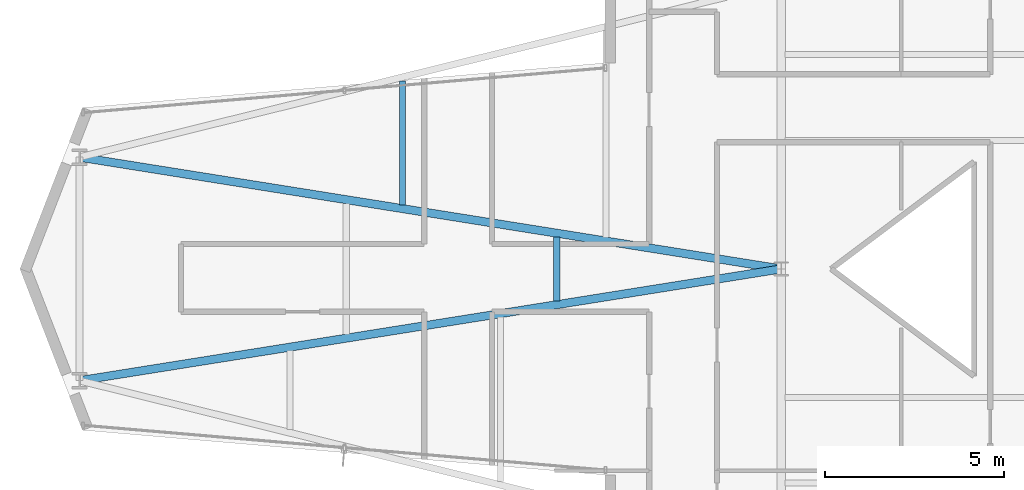
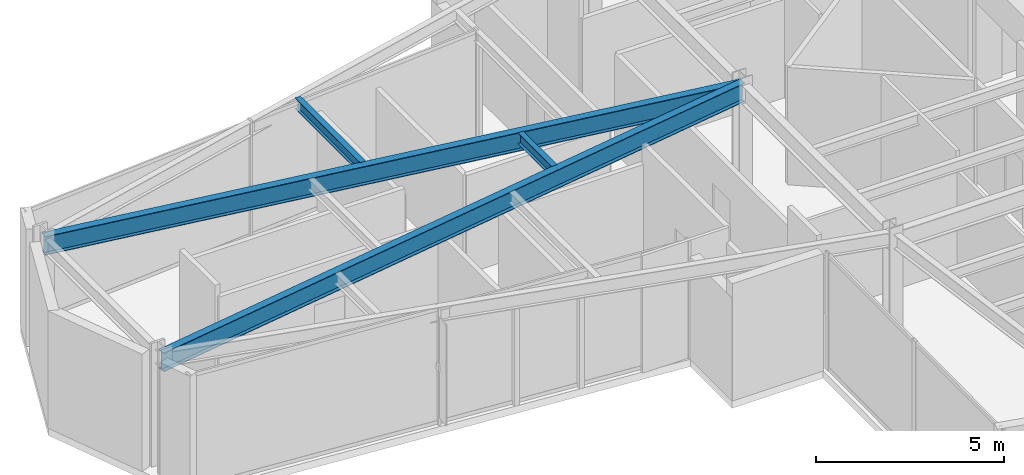
# One storey, part 8 of 26: 4 beams.
"""IFC4 building model written with IfcOpenShell, lengths in metres."""

from ifc_helpers import new_model, si_unit, direction, frame, origin, origin_2d, place, context, subcontext, project, spatial, i_section, extrude, material, material_profile, profile_set, type_object, element, save


model = new_model("IFC4")

# Units and contexts
model_context = context("Model", 3, precision=1e-05, world=origin(), true_north=direction((0.0, 1.0)))
body_context = subcontext(model_context, "Body", "Model", "MODEL_VIEW")
ifc_project = project(units=[si_unit("LENGTHUNIT", "METRE"), si_unit("AREAUNIT", "SQUARE_METRE"), si_unit("VOLUMEUNIT", "CUBIC_METRE"), si_unit("PLANEANGLEUNIT", "RADIAN"), si_unit("MASSUNIT", "GRAM", prefix="KILO")], contexts=[model_context])

# Site, building, storey
site_placement = place(None, origin())
site = spatial("IfcSite", under=ifc_project, at=site_placement, CompositionType="ELEMENT")
building_placement = place(site_placement, origin())
building = spatial("IfcBuilding", under=site, at=building_placement, Name="Veymaron Broadcast Tower", CompositionType="ELEMENT")
storey_placement = place(building_placement, frame((0.0, 0.0, 153.300048828125)))
storey = spatial("IfcBuildingStorey", under=building, at=storey_placement, Name="L35", CompositionType="ELEMENT", Elevation=153.300048828125)

# Beams
ifc_material = material(Name="Structural steel ASTM A992 Gr 50", Category="steel")
ifc_material_profile_1 = material_profile(ifc_material, i_section(OverallWidth=0.22802734375, OverallDepth=0.60791015625, WebThickness=0.01123046875, FlangeThickness=0.017333984375, at=origin_2d()), Name="W610X113")
ifc_profile_set_1 = profile_set([ifc_material_profile_1], Name="Structural steel ASTM A992 Gr 50")
beam_type_1 = type_object("IfcBeamType", Name="BM-FG2", PredefinedType="BEAM", material=ifc_profile_set_1)
for number, where, z_axis, x_axis, name in (
    (1, (11.5537109375, 20.8720703125, 3.505859375), (0.987561646765, 0.157232292607, 0.0), (-0.157232292607, 0.987561646765, 0.0), "L35 primary structural floor girder"),
    (2, (11.5537109375, 27.1279296875, 3.505859375), (0.987561646765, -0.157232292607, 0.0), (0.157232292607, 0.987561646765, 0.0), "L35 primary structural floor girder"),
):
    element("IfcBeam", number, at=place(storey_placement, frame(where, z_axis=z_axis, x_axis=x_axis)), inside=storey, type_object=beam_type_1, Name=name, PredefinedType="BEAM", context=body_context, shape_type="SweptSolid", body=[
        extrude(i_section(OverallWidth=0.22802734375, OverallDepth=0.60791015625, WebThickness=0.01123046875, FlangeThickness=0.017333984375, at=origin_2d()), origin(), (0.0, 0.0, 1.0), 19.893798828125),
    ])
ifc_material_profile_2 = material_profile(ifc_material, i_section(OverallWidth=0.1708984375, OverallDepth=0.35498046875, WebThickness=0.007080078125, FlangeThickness=0.01171875, at=origin_2d()), Name="W360X51")
ifc_profile_set_2 = profile_set([ifc_material_profile_2], Name="Structural steel ASTM A992 Gr 50")
beam_type_2 = type_object("IfcBeamType", Name="BM-JS2", PredefinedType="JOIST", material=ifc_profile_set_2)
beam_1_placement = place(storey_placement, frame((20.5908203125, 25.7890625, 3.632568359375), z_axis=(0.0, 1.0, 0.0), x_axis=(-1.0, 0.0, 0.0)))
element("IfcBeam", 3, at=beam_1_placement, inside=storey, type_object=beam_type_2, Name="L35 Arm-A secondary joist 1N", PredefinedType="JOIST", context=body_context, shape_type="SweptSolid", body=[
    extrude(i_section(OverallWidth=0.1708984375, OverallDepth=0.35498046875, WebThickness=0.007080078125, FlangeThickness=0.01171875, at=origin_2d()), origin(), (0.0, 0.0, 1.0), 3.47998046875),
])
beam_2_placement = place(storey_placement, frame((24.9130859375, 23.09912109375, 3.632568359375), z_axis=(0.0, 1.0, 0.0), x_axis=(-1.0, 0.0, 0.0)))
element("IfcBeam", 4, at=beam_2_placement, inside=storey, type_object=beam_type_2, Name="L35 Arm-A secondary joist 2M", PredefinedType="JOIST", context=body_context, shape_type="SweptSolid", body=[
    extrude(i_section(OverallWidth=0.1708984375, OverallDepth=0.35498046875, WebThickness=0.007080078125, FlangeThickness=0.01171875, at=origin_2d()), origin(), (0.0, 0.0, 1.0), 1.8017578125),
])

save(model, "model.ifc")
